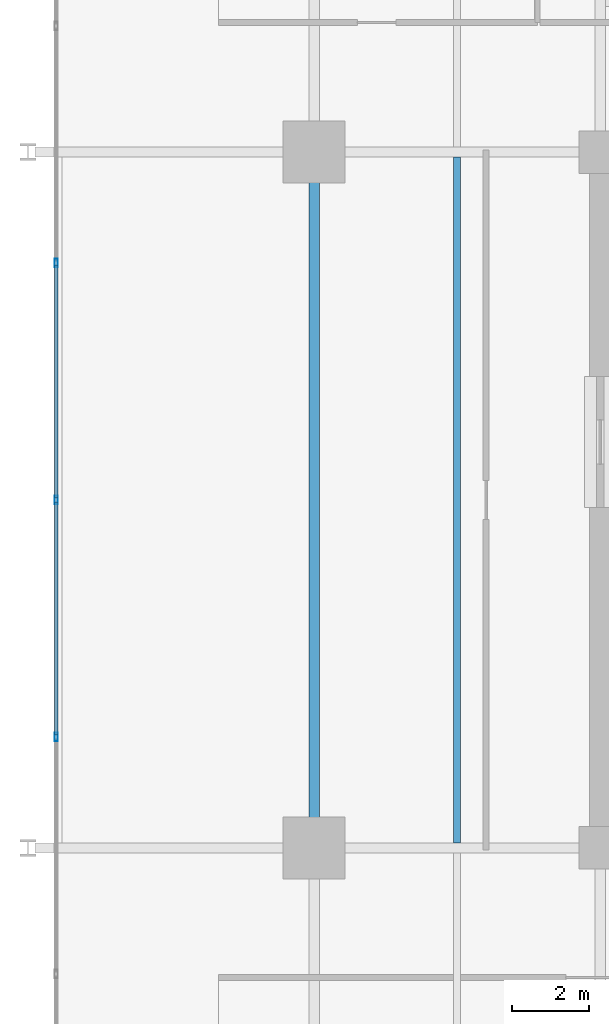
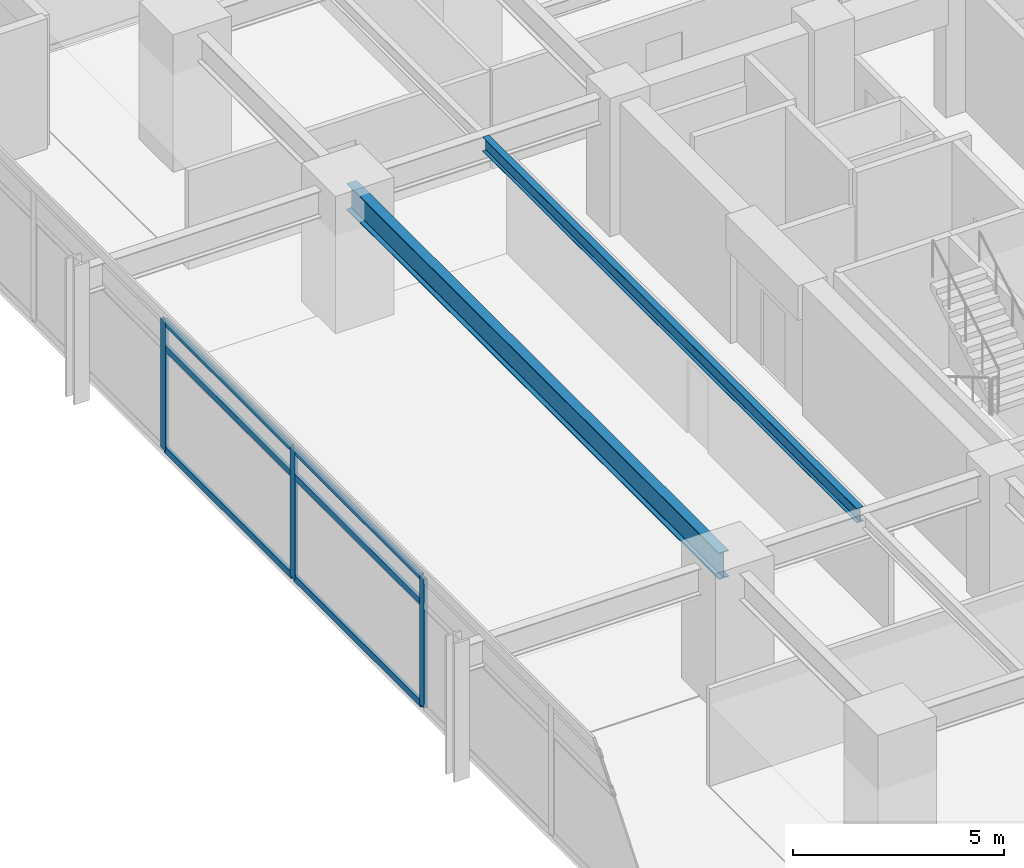
# One storey, part 4 of 21: 9 members, 2 beams, 1 element without a shape of its own.
"""IFC4 building model written with IfcOpenShell, lengths in metres."""

from ifc_helpers import new_model, si_unit, direction, frame, origin, origin_2d, place, context, subcontext, project, spatial, hollow_rectangle, i_section, extrude, material, material_profile, profile_set, type_object, element, aggregate, save


model = new_model("IFC4")

# Units and contexts
model_context = context("Model", 3, precision=1e-05, world=origin(), true_north=direction((0.0, 1.0)))
body_context = subcontext(model_context, "Body", "Model", "MODEL_VIEW")
ifc_project = project(units=[si_unit("LENGTHUNIT", "METRE"), si_unit("AREAUNIT", "SQUARE_METRE"), si_unit("VOLUMEUNIT", "CUBIC_METRE"), si_unit("PLANEANGLEUNIT", "RADIAN"), si_unit("MASSUNIT", "GRAM", prefix="KILO")], contexts=[model_context])

# Site, building, storey
site_placement = place(None, origin())
site = spatial("IfcSite", under=ifc_project, at=site_placement, CompositionType="ELEMENT")
building_placement = place(site_placement, origin())
building = spatial("IfcBuilding", under=site, at=building_placement, Name="Kovane Verandah Tower", CompositionType="ELEMENT")
storey_placement = place(building_placement, frame((0.0, 0.0, 172.39990234375)))
storey = spatial("IfcBuildingStorey", under=building, at=storey_placement, Name="L40", CompositionType="ELEMENT", Elevation=172.39990234375)

# Beam
ifc_material_1 = material(Name="Steel S355", Category="steel")
ifc_material_profile_1 = material_profile(ifc_material_1, i_section(OverallWidth=0.26806640625, OverallDepth=0.769775390625, WebThickness=0.015625, FlangeThickness=0.025390625, FilletRadius=0.0166015625, at=origin_2d()), Name="UB762x267x197")
ifc_profile_set_1 = profile_set([ifc_material_profile_1], Name="Steel S355")
beam_type_1 = type_object("IfcBeamType", Name="BM-UB762x197", PredefinedType="BEAM", material=ifc_profile_set_1)
beam_1_placement = place(storey_placement, frame((21.60009765625, 18.679931640625, 3.39013671875), z_axis=(0.0, 1.0, 0.0), x_axis=(-1.0, 0.0, 0.0)))
element("IfcBeam", 1, at=beam_1_placement, inside=storey, type_object=beam_type_1, Name="L40 Primary Tower Girder G-RW2", PredefinedType="BEAM", context=body_context, shape_type="SweptSolid", body=[
    extrude(i_section(OverallWidth=0.26806640625, OverallDepth=0.769775390625, WebThickness=0.015625, FlangeThickness=0.025390625, FilletRadius=0.0166015625, at=origin_2d()), origin(), (0.0, 0.0, 1.0), 17.64013671875),
])

# Curtain wall, members
ifc_material_2 = material(Name="Champagne Anodised Aluminium Frame with Low-E Clear Laminated Glass", Category="aluminium")
curtain_wall_type = type_object("IfcCurtainWallType", Name="CW-SYS-03-MID", PredefinedType="NOTDEFINED", material=ifc_material_2)
curtain_wall_placement = place(storey_placement, origin())
curtain_wall = element("IfcCurtainWall", 2, at=curtain_wall_placement, inside=storey, type_object=curtain_wall_type, Name="L40 W Unitised Curtain Wall", PredefinedType="NOTDEFINED")
ifc_material_3 = material(Name="Champagne Anodised Aluminium 6063-T6", Category="aluminium")
ifc_material_profile_2 = material_profile(ifc_material_3, hollow_rectangle(XDim=0.0849609375, YDim=0.22998046875, WallThickness=0.00390625, at=origin_2d()), Name="AL85x230x4")
ifc_profile_set_2 = profile_set([ifc_material_profile_2], Name="Champagne Anodised Aluminium 6063-T6")
member_type_1 = type_object("IfcMemberType", Name="CW-MUL-85x230", PredefinedType="MULLION", material=ifc_profile_set_2)
member_1_placement = place(storey_placement, frame((14.9296875, 33.6298828125, 0.02001953125), z_axis=(0.0, 0.0, 1.0), x_axis=(-1.0, 0.0, 0.0)))
member_1 = element("IfcMember", 3, at=member_1_placement, type_object=member_type_1, Name="L40 W Unitised Curtain Wall Mullion 3", PredefinedType="MULLION", context=body_context, shape_type="SweptSolid", body=[
    extrude(hollow_rectangle(XDim=0.0849609375, YDim=0.22998046875, WallThickness=0.00390625, at=origin_2d()), origin(), (0.0, 0.0, 1.0), 3.735107421875),
])
member_2_placement = place(storey_placement, frame((14.9296875, 27.5, 0.02001953125), z_axis=(0.0, 0.0, 1.0), x_axis=(-1.0, 0.0, 0.0)))
member_2 = element("IfcMember", 4, at=member_2_placement, type_object=member_type_1, Name="L40 W Unitised Curtain Wall Mullion 4", PredefinedType="MULLION", context=body_context, shape_type="SweptSolid", body=[
    extrude(hollow_rectangle(XDim=0.0849609375, YDim=0.22998046875, WallThickness=0.00390625, at=origin_2d()), origin(), (0.0, 0.0, 1.0), 3.735107421875),
])
member_3_placement = place(storey_placement, frame((14.9296875, 21.3701171875, 0.02001953125), z_axis=(0.0, 0.0, 1.0), x_axis=(-1.0, 0.0, 0.0)))
member_3 = element("IfcMember", 5, at=member_3_placement, type_object=member_type_1, Name="L40 W Unitised Curtain Wall Mullion 5", PredefinedType="MULLION", context=body_context, shape_type="SweptSolid", body=[
    extrude(hollow_rectangle(XDim=0.0849609375, YDim=0.22998046875, WallThickness=0.00390625, at=origin_2d()), origin(), (0.0, 0.0, 1.0), 3.735107421875),
])
ifc_material_profile_3 = material_profile(ifc_material_3, hollow_rectangle(XDim=0.0849609375, YDim=0.18994140625, WallThickness=0.00390625, at=origin_2d()), Name="AL85x190x4")
ifc_profile_set_3 = profile_set([ifc_material_profile_3], Name="Champagne Anodised Aluminium 6063-T6")
member_type_2 = type_object("IfcMemberType", Name="CW-TRN-85x190", PredefinedType="USERDEFINED", material=ifc_profile_set_3)
member_4_placement = place(storey_placement, frame((14.9296875, 33.579833984375, 0.050048828125), z_axis=(0.0, -1.0, 0.0), x_axis=(1.0, 0.0, 0.0)))
member_4 = element("IfcMember", 6, at=member_4_placement, type_object=member_type_2, Name="L40 W Unitised Curtain Wall Transom TB Bay 3", ObjectType="TRANSOM", PredefinedType="USERDEFINED", context=body_context, shape_type="SweptSolid", body=[
    extrude(hollow_rectangle(XDim=0.0849609375, YDim=0.18994140625, WallThickness=0.00390625, at=origin_2d()), origin(), (0.0, 0.0, 1.0), 6.02978515625),
])
member_5_placement = place(storey_placement, frame((14.9296875, 33.579833984375, 2.9951171875), z_axis=(0.0, -1.0, 0.0), x_axis=(1.0, 0.0, 0.0)))
member_5 = element("IfcMember", 7, at=member_5_placement, type_object=member_type_2, Name="L40 W Unitised Curtain Wall Transom TM Bay 3", ObjectType="TRANSOM", PredefinedType="USERDEFINED", context=body_context, shape_type="SweptSolid", body=[
    extrude(hollow_rectangle(XDim=0.0849609375, YDim=0.18994140625, WallThickness=0.00390625, at=origin_2d()), origin(), (0.0, 0.0, 1.0), 6.02978515625),
])
member_6_placement = place(storey_placement, frame((14.9296875, 33.579833984375, 3.72509765625), z_axis=(0.0, -1.0, 0.0), x_axis=(1.0, 0.0, 0.0)))
member_6 = element("IfcMember", 8, at=member_6_placement, type_object=member_type_2, Name="L40 W Unitised Curtain Wall Transom TT Bay 3", ObjectType="TRANSOM", PredefinedType="USERDEFINED", context=body_context, shape_type="SweptSolid", body=[
    extrude(hollow_rectangle(XDim=0.0849609375, YDim=0.18994140625, WallThickness=0.00390625, at=origin_2d()), origin(), (0.0, 0.0, 1.0), 6.02978515625),
])
member_7_placement = place(storey_placement, frame((14.9296875, 27.449951171875, 0.050048828125), z_axis=(0.0, -1.0, 0.0), x_axis=(1.0, 0.0, 0.0)))
member_7 = element("IfcMember", 9, at=member_7_placement, type_object=member_type_2, Name="L40 W Unitised Curtain Wall Transom TB Bay 4", ObjectType="TRANSOM", PredefinedType="USERDEFINED", context=body_context, shape_type="SweptSolid", body=[
    extrude(hollow_rectangle(XDim=0.0849609375, YDim=0.18994140625, WallThickness=0.00390625, at=origin_2d()), origin(), (0.0, 0.0, 1.0), 6.02978515625),
])
member_8_placement = place(storey_placement, frame((14.9296875, 27.449951171875, 2.9951171875), z_axis=(0.0, -1.0, 0.0), x_axis=(1.0, 0.0, 0.0)))
member_8 = element("IfcMember", 10, at=member_8_placement, type_object=member_type_2, Name="L40 W Unitised Curtain Wall Transom TM Bay 4", ObjectType="TRANSOM", PredefinedType="USERDEFINED", context=body_context, shape_type="SweptSolid", body=[
    extrude(hollow_rectangle(XDim=0.0849609375, YDim=0.18994140625, WallThickness=0.00390625, at=origin_2d()), origin(), (0.0, 0.0, 1.0), 6.02978515625),
])
member_9_placement = place(storey_placement, frame((14.9296875, 27.449951171875, 3.72509765625), z_axis=(0.0, -1.0, 0.0), x_axis=(1.0, 0.0, 0.0)))
member_9 = element("IfcMember", 11, at=member_9_placement, type_object=member_type_2, Name="L40 W Unitised Curtain Wall Transom TT Bay 4", ObjectType="TRANSOM", PredefinedType="USERDEFINED", context=body_context, shape_type="SweptSolid", body=[
    extrude(hollow_rectangle(XDim=0.0849609375, YDim=0.18994140625, WallThickness=0.00390625, at=origin_2d()), origin(), (0.0, 0.0, 1.0), 6.02978515625),
])
aggregate(curtain_wall, [member_1, member_2, member_3, member_4, member_5, member_6, member_7, member_8, member_9])

# Beam
ifc_material_profile_4 = material_profile(ifc_material_1, i_section(OverallWidth=0.179443359375, OverallDepth=0.412841796875, WebThickness=0.009521484375, FlangeThickness=0.01611328125, FilletRadius=0.01025390625, at=origin_2d()), Name="UB406x178x74")
ifc_profile_set_4 = profile_set([ifc_material_profile_4], Name="Steel S355")
beam_type_2 = type_object("IfcBeamType", Name="JST-UB406x74", PredefinedType="JOIST", material=ifc_profile_set_4)
beam_2_placement = place(storey_placement, frame((25.300048828125, 18.632080078125, 3.568603515625), z_axis=(0.0, 1.0, 0.0), x_axis=(-1.0, 0.0, 0.0)))
element("IfcBeam", 12, at=beam_2_placement, inside=storey, type_object=beam_type_2, Name="L40 Secondary Composite Joist J-W1", PredefinedType="JOIST", context=body_context, shape_type="SweptSolid", body=[
    extrude(i_section(OverallWidth=0.179443359375, OverallDepth=0.412841796875, WebThickness=0.009521484375, FlangeThickness=0.01611328125, FilletRadius=0.01025390625, at=origin_2d()), origin(), (0.0, 0.0, 1.0), 17.73583984375),
])

save(model, "model.ifc")
